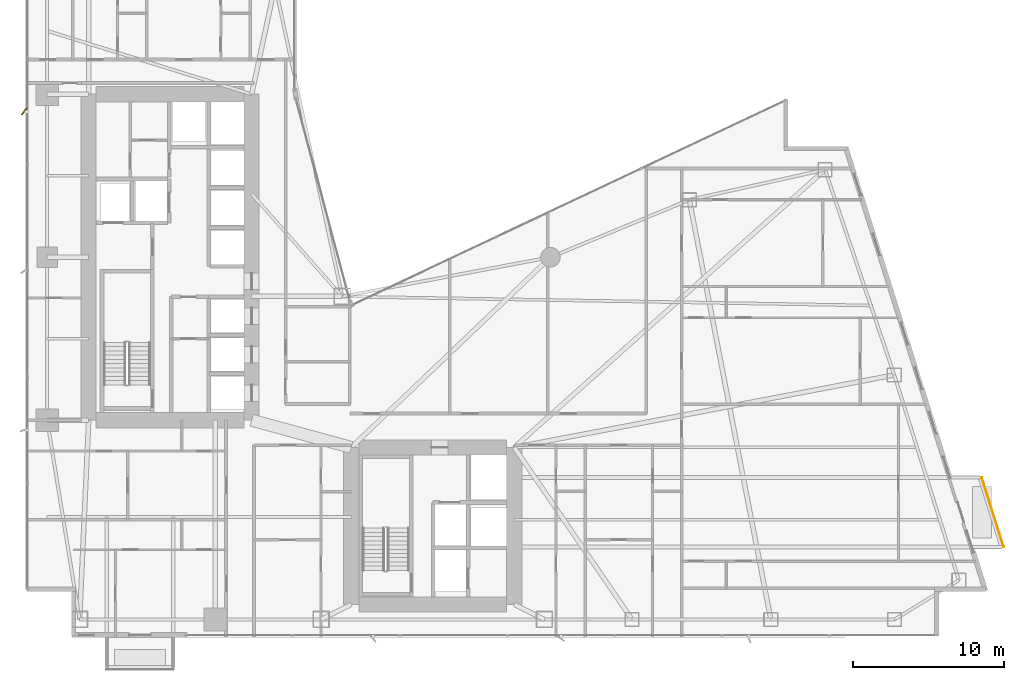
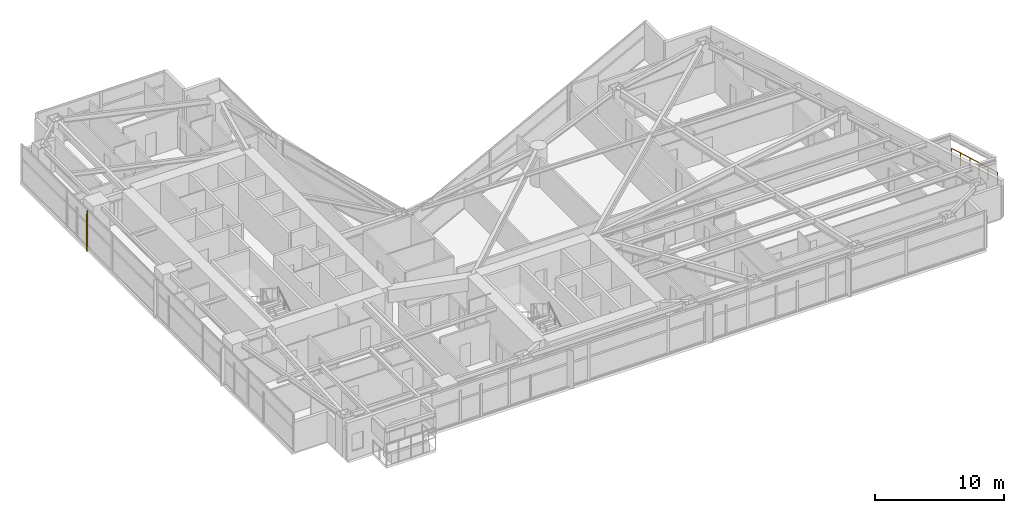
# One storey, part 30 of 30: 1 railing, 1 shading device.
"""IFC4 building model written with IfcOpenShell, lengths in metres."""

from ifc_helpers import new_model, si_unit, direction, frame, origin, origin_2d, place, context, subcontext, project, spatial, rectangle, circle, extrude, material, type_object, element, save


model = new_model("IFC4")

# Units and contexts
model_context = context("Model", 3, precision=1e-05, world=origin(), true_north=direction((0.0, 1.0)))
body_context = subcontext(model_context, "Body", "Model", "MODEL_VIEW")
ifc_project = project(units=[si_unit("LENGTHUNIT", "METRE"), si_unit("AREAUNIT", "SQUARE_METRE"), si_unit("VOLUMEUNIT", "CUBIC_METRE"), si_unit("PLANEANGLEUNIT", "RADIAN"), si_unit("MASSUNIT", "GRAM", prefix="KILO")], contexts=[model_context])

# Site, building, storey
site_placement = place(None, origin())
site = spatial("IfcSite", under=ifc_project, at=site_placement, CompositionType="ELEMENT")
building_placement = place(site_placement, origin())
building = spatial("IfcBuilding", under=site, at=building_placement, Name="Calvorn Quay Hotel", CompositionType="ELEMENT")
storey_placement = place(building_placement, frame((0.0, 0.0, 73.60009765625)))
storey = spatial("IfcBuildingStorey", under=building, at=storey_placement, Name="L17", CompositionType="ELEMENT", Elevation=73.60009765625)

# Railing
ifc_material_1 = material(Name="Pale Anodised Aluminium and Laminated Glass", Category="aluminium")
railing_type = type_object("IfcRailingType", Name="RLG-BALUSTRADE-1200", PredefinedType="BALUSTRADE", material=ifc_material_1)
railing_placement = place(storey_placement, frame((64.827880859375, 8.39990234375, 0.89990234375)))
element("IfcRailing", 1, at=railing_placement, inside=storey, type_object=railing_type, Name="Planter Kerb High Safety Screen L17-BALC-E", PredefinedType="BALUSTRADE", context=body_context, shape_type="SweptSolid", body=[
    extrude(circle(Radius=0.02392578125, at=origin_2d()), frame((0.0, 0.0, 1.19580078125), z_axis=(-0.300620172346, 0.953743944662, 0.0), x_axis=(-0.953743944662, -0.300620172346, 0.0)), (0.0, 0.0, 1.0), 4.8232421875),
    extrude(circle(Radius=0.02099609375, at=origin_2d()), origin(), (0.0, 0.0, 1.0), 1.171875),
    extrude(circle(Radius=0.02099609375, at=origin_2d()), frame((-0.2900390625, 0.919921875, 0.0)), (0.0, 0.0, 1.0), 1.171875),
    extrude(circle(Radius=0.02099609375, at=origin_2d()), frame((-0.580078125, 1.840087890625, 0.0)), (0.0, 0.0, 1.0), 1.171875),
    extrude(circle(Radius=0.02099609375, at=origin_2d()), frame((-0.869873046875, 2.760009765625, 0.0)), (0.0, 0.0, 1.0), 1.171875),
    extrude(circle(Radius=0.02099609375, at=origin_2d()), frame((-1.159912109375, 3.68017578125, 0.0)), (0.0, 0.0, 1.0), 1.171875),
    extrude(circle(Radius=0.02099609375, at=origin_2d()), frame((-1.449951171875, 4.60009765625, 0.0)), (0.0, 0.0, 1.0), 1.171875),
])

# Shading device
ifc_material_2 = material(Name="Champagne Bronze Anodised Aluminium 6063-T6", Category="aluminium")
shading_device_type = type_object("IfcShadingDeviceType", Name="SHD-FIN-A3", PredefinedType="USERDEFINED", material=ifc_material_2)
shading_device_placement = place(storey_placement, frame((-0.080078125, 37.25, -0.000244140625), z_axis=(0.0, 0.0, 1.0), x_axis=(0.587785252292, 0.809016994375, 0.0)))
element("IfcShadingDevice", 2, at=shading_device_placement, inside=storey, type_object=shading_device_type, Name="Diagonal Sun-Shading Fin L17-W03", ObjectType="FIN", PredefinedType="USERDEFINED", context=body_context, shape_type="SweptSolid", body=[
    extrude(rectangle(XDim=0.550048828125, YDim=0.080078125, at=origin_2d()), origin(), (0.0, 0.0, 1.0), 3.56005859375),
])

save(model, "model.ifc")
